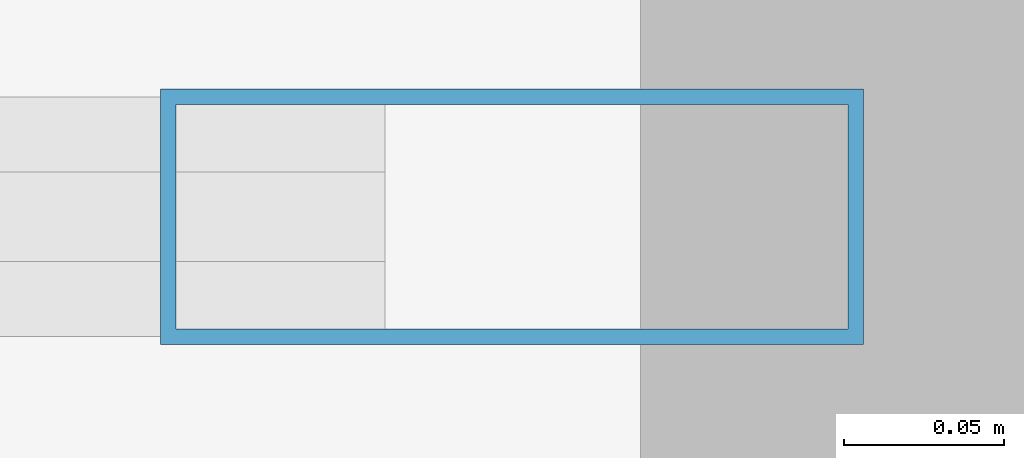
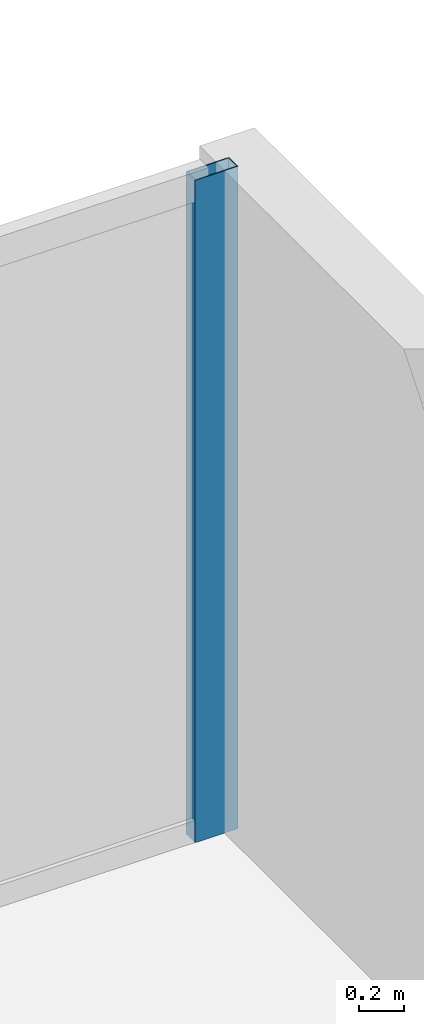
# One storey, part 14 of 24: 1 member, 1 element without a shape of its own.
"""IFC4 building model written with IfcOpenShell, lengths in metres."""

import ifcopenshell
import ifcopenshell.guid

model = None  # the IFC model being written
_history = None  # IfcOwnerHistory: only IFC2X3 demands one
_inside = {}  # id of a spatial element -> (the spatial element, [elements in it])
_under = {}  # id of a project, library or spatial element -> (it, [spatial elements below it])
_declared = {}  # id of a project -> (the project, [libraries it declares])
_typed = {}  # id of a type object -> (the type object, [elements of that type])
_made_of = {}  # id of a material, layer set ... -> (it, [elements and type objects made of it])


def new_model(schema):
    """Start an empty IFC model of exactly this schema.

    Asked for "IFC4X3", IfcOpenShell would pick the latest addendum, in which some entities
    have other attributes; the version numbers below select the first issue.
    IFC2X3 requires an IfcOwnerHistory on every rooted entity: one is made here for all.
    """
    global model, _history
    if schema == "IFC4X3":
        model = ifcopenshell.file(schema_version=(4, 3, 0, 0))
    else:
        model = ifcopenshell.file(schema=schema)
    _inside.clear()
    _under.clear()
    _declared.clear()
    _typed.clear()
    _made_of.clear()
    _history = None
    if model.schema == "IFC2X3":
        org = make("IfcOrganization", Name="unknown")
        user = make(
            "IfcPersonAndOrganization",
            ThePerson=make("IfcPerson", FamilyName="unknown"),
            TheOrganization=org,
        )
        app = make(
            "IfcApplication",
            ApplicationDeveloper=org,
            Version="unknown",
            ApplicationFullName="unknown",
            ApplicationIdentifier="unknown",
        )
        _history = make(
            "IfcOwnerHistory",
            OwningUser=user,
            OwningApplication=app,
            ChangeAction="ADDED",
            CreationDate=0,
        )
    return model


def make(cls, **values):
    """One entity of the class cls with the attributes given. An attribute that is None is left unset."""
    return model.create_entity(
        cls, **{name: value for name, value in values.items() if value is not None}
    )


def rooted(cls, **values):
    """An entity with a GlobalId (a new one), such as an element, a storey or a relation."""
    return make(cls, GlobalId=ifcopenshell.guid.new(), OwnerHistory=_history, **values)


def si_unit(unit_type, name, prefix=None):
    """IfcSIUnit, for example si_unit("LENGTHUNIT", "METRE", prefix="MILLI")."""
    return make("IfcSIUnit", UnitType=unit_type, Prefix=prefix, Name=name)


def assignment(units):
    """IfcUnitAssignment: the units of a project."""
    return None if units is None else make("IfcUnitAssignment", Units=units)


def point(xyz):
    """IfcCartesianPoint."""
    return None if xyz is None else make("IfcCartesianPoint", Coordinates=xyz)


def direction(xyz):
    """IfcDirection."""
    return None if xyz is None else make("IfcDirection", DirectionRatios=xyz)


def frame(location, z_axis=None, x_axis=None):
    """IfcAxis2Placement3D, a coordinate frame: its origin and axes. An axis left out is left unset."""
    return make(
        "IfcAxis2Placement3D",
        Location=point(location),
        Axis=direction(z_axis),
        RefDirection=direction(x_axis),
    )


def frame_2d(location, x_axis=None):
    """IfcAxis2Placement2D, a coordinate frame in the plane: its origin and x axis."""
    return make(
        "IfcAxis2Placement2D", Location=point(location), RefDirection=direction(x_axis)
    )


def origin():
    """The frame at (0, 0, 0) with its axes left unset."""
    return frame((0.0, 0.0, 0.0))


def origin_with_axes():
    """The frame at (0, 0, 0) with the z axis (0, 0, 1) and the x axis (1, 0, 0) written out."""
    return frame((0.0, 0.0, 0.0), z_axis=(0.0, 0.0, 1.0), x_axis=(1.0, 0.0, 0.0))


def origin_2d():
    """The frame at (0, 0) in the plane with its x axis left unset."""
    return frame_2d((0.0, 0.0))


def place(relative_to, where):
    """IfcLocalPlacement: puts the frame where relative to a parent placement (None: the world)."""
    return make(
        "IfcLocalPlacement", PlacementRelTo=relative_to, RelativePlacement=where
    )


def context(
    kind, dimensions, precision=None, world=None, true_north=None, identifier=None
):
    """IfcGeometricRepresentationContext, for example the 3D "Model" context."""
    return make(
        "IfcGeometricRepresentationContext",
        ContextIdentifier=identifier,
        ContextType=kind,
        CoordinateSpaceDimension=dimensions,
        Precision=precision,
        WorldCoordinateSystem=world,
        TrueNorth=true_north,
    )


def subcontext(parent, identifier, kind, view, scale=None):
    """IfcGeometricRepresentationSubContext, for example "Body" below "Model"."""
    return make(
        "IfcGeometricRepresentationSubContext",
        ContextIdentifier=identifier,
        ContextType=kind,
        ParentContext=parent,
        TargetScale=scale,
        TargetView=view,
    )


def project(units=None, contexts=None):
    """IfcProject with its units and contexts."""
    return rooted(
        "IfcProject",
        Name="project",
        RepresentationContexts=contexts,
        UnitsInContext=assignment(units),
    )


def spatial(cls, under=None, at=None, **own):
    """A site, building, storey or space (cls), placed at a placement, below another one or the project."""
    s = rooted(cls, ObjectPlacement=at, **own)
    if under is not None:
        _under.setdefault(under.id(), (under, []))[1].append(s)
    return s


def profile(cls, at=None, kind="AREA", **sizes):
    """A parametric profile (cls). Its sizes go by their IFC names, for example OverallWidth=200.0."""
    return make(cls, ProfileType=kind, Position=at, **sizes)


def hollow_rectangle(**sizes):
    """IfcRectangleHollowProfileDef."""
    return profile("IfcRectangleHollowProfileDef", **sizes)


def extrude(swept, where, along, depth):
    """IfcExtrudedAreaSolid: the profile swept, set in the frame where, extruded along a direction by depth."""
    return make(
        "IfcExtrudedAreaSolid",
        SweptArea=swept,
        Position=where,
        ExtrudedDirection=direction(along),
        Depth=depth,
    )


def shape(context_of_items, identifier, shape_type, items):
    """IfcShapeRepresentation: the items that make up one representation, for example the "Body"."""
    return make(
        "IfcShapeRepresentation",
        ContextOfItems=context_of_items,
        RepresentationIdentifier=identifier,
        RepresentationType=shape_type,
        Items=items,
    )


def source(mapping_origin, context_of_items, identifier, shape_type, items):
    """IfcRepresentationMap: a shape defined once, which mapped items show again and again."""
    return make(
        "IfcRepresentationMap",
        MappingOrigin=mapping_origin,
        MappedRepresentation=shape(context_of_items, identifier, shape_type, items),
    )


def transform(
    local_origin,
    x_axis=None,
    y_axis=None,
    z_axis=None,
    scale=None,
    scale2=None,
    scale3=None,
    uniform=True,
):
    """IfcCartesianTransformationOperator3D, or its non-uniform kind. x_axis, y_axis, z_axis: its Axis1, 2, 3."""
    if uniform:
        return make(
            "IfcCartesianTransformationOperator3D",
            Axis1=direction(x_axis),
            Axis2=direction(y_axis),
            LocalOrigin=point(local_origin),
            Scale=scale,
            Axis3=direction(z_axis),
        )
    return make(
        "IfcCartesianTransformationOperator3DnonUniform",
        Axis1=direction(x_axis),
        Axis2=direction(y_axis),
        LocalOrigin=point(local_origin),
        Scale=scale,
        Axis3=direction(z_axis),
        Scale2=scale2,
        Scale3=scale3,
    )


def mapped(mapping_source, mapping_target):
    """IfcMappedItem: shows the shape of a source again, moved by a transform."""
    return make(
        "IfcMappedItem", MappingSource=mapping_source, MappingTarget=mapping_target
    )


def material(Name=None, Category=None):
    """IfcMaterial."""
    return make("IfcMaterial", Name=Name, Category=Category)


def layer(
    of_material, thickness, ventilated=None, Name=None, Category=None, Priority=None
):
    """IfcMaterialLayer: one layer of a wall or slab, of a material (None: an air gap)."""
    return make(
        "IfcMaterialLayer",
        Material=of_material,
        LayerThickness=thickness,
        IsVentilated=ventilated,
        Name=Name,
        Category=Category,
        Priority=Priority,
    )


def layer_set(layers, Name=None):
    """IfcMaterialLayerSet."""
    return make("IfcMaterialLayerSet", MaterialLayers=layers, LayerSetName=Name)


def material_profile(
    of_material, cross_section, Name=None, Category=None, Priority=None
):
    """IfcMaterialProfile: a cross section and its material."""
    return make(
        "IfcMaterialProfile",
        Name=Name,
        Material=of_material,
        Profile=cross_section,
        Priority=Priority,
        Category=Category,
    )


def profile_set(profiles, Name=None, composite=None):
    """IfcMaterialProfileSet."""
    return make(
        "IfcMaterialProfileSet",
        Name=Name,
        MaterialProfiles=profiles,
        CompositeProfile=composite,
    )


def made_of(thing, what):
    """Note that an element or type object is made of a material, layer set ...; save() writes the relation."""
    if what is not None:
        _made_of.setdefault(what.id(), (what, []))[1].append(thing)
    return thing


def type_object(cls, material=None, **own):
    """A type object (cls), such as IfcWallType, which elements share."""
    return made_of(rooted(cls, **own), material)


def element(
    cls,
    number,
    at=None,
    inside=None,
    cuts=None,
    type_object=None,
    material=None,
    context=None,
    identifier="Body",
    shape_type=None,
    held_by="IfcProductDefinitionShape",
    body=None,
    shapes=None,
    **own,
):
    """One element of the class cls, such as IfcWall. Its Tag is "e" and its number.

    at: its placement. inside: the storey or other place that contains it. cuts: it is an
    opening in that element (IfcRelVoidsElement). A single representation is given by context,
    identifier, shape_type and body (its items); several are given by shapes. held_by: the class
    of the entity that holds the representations. save() writes the other relations.
    """
    e = rooted(cls, Tag="e%d" % number, ObjectPlacement=at, **own)
    if body is not None:
        shapes = [shape(context, identifier, shape_type, body)]
    if shapes is not None:
        e.Representation = make(held_by, Representations=shapes)
    if inside is not None:
        _inside.setdefault(inside.id(), (inside, []))[1].append(e)
    if cuts is not None:
        rooted(
            "IfcRelVoidsElement", RelatingBuildingElement=cuts, RelatedOpeningElement=e
        )
    if type_object is not None:
        _typed.setdefault(type_object.id(), (type_object, []))[1].append(e)
    return made_of(e, material)


def aggregate(whole, parts):
    """IfcRelAggregates: a whole, such as a stair, and the parts it consists of."""
    return rooted("IfcRelAggregates", RelatingObject=whole, RelatedObjects=parts)


def save(model, path):
    """Write the relations noted so far, then the file.

    IfcRelAggregates (storeys below a building ...), IfcRelContainedInSpatialStructure (elements
    in a storey), IfcRelDefinesByType, IfcRelAssociatesMaterial and IfcRelDeclares: one each for
    every whole, place, type object, material and project.
    """
    for whole, parts in _under.values():
        aggregate(whole, parts)
    for where, things in _inside.values():
        rooted(
            "IfcRelContainedInSpatialStructure",
            RelatedElements=things,
            RelatingStructure=where,
        )
    for kind, things in _typed.values():
        rooted("IfcRelDefinesByType", RelatedObjects=things, RelatingType=kind)
    for what, things in _made_of.values():
        rooted("IfcRelAssociatesMaterial", RelatedObjects=things, RelatingMaterial=what)
    for by, libraries in _declared.values():
        rooted("IfcRelDeclares", RelatingContext=by, RelatedDefinitions=libraries)
    model.write(path)


model = new_model("IFC4")

# Units and contexts
model_context = context("Model", 3, precision=1e-05, world=origin(), true_north=direction((0.0, 1.0)))
body_context = subcontext(model_context, "Body", "Model", "MODEL_VIEW")
ifc_project = project(units=[si_unit("LENGTHUNIT", "METRE"), si_unit("AREAUNIT", "SQUARE_METRE"), si_unit("VOLUMEUNIT", "CUBIC_METRE"), si_unit("PLANEANGLEUNIT", "RADIAN"), si_unit("MASSUNIT", "GRAM", prefix="KILO")], contexts=[model_context])

# Site, building, storey
site_placement = place(None, origin())
site = spatial("IfcSite", under=ifc_project, at=site_placement, CompositionType="ELEMENT")
building_placement = place(site_placement, origin())
building = spatial("IfcBuilding", under=site, at=building_placement, Name="Kolvaren Waterfront Exchange", CompositionType="ELEMENT")
storey_placement = place(building_placement, frame((0.0, 0.0, 184.199951171875)))
storey = spatial("IfcBuildingStorey", under=building, at=storey_placement, Name="L47", CompositionType="ELEMENT", Elevation=184.199951171875)

# Curtain wall, member
ifc_material_1 = material(Name="Anodised bronze aluminium 6063-T6", Category="aluminium")
ifc_layer = layer(ifc_material_1, 0.219970703125, Name="Anodised bronze aluminium 6063-T6")
ifc_layer_set = layer_set([ifc_layer], Name="Anodised bronze aluminium 6063-T6")
curtain_wall_type = type_object("IfcCurtainWallType", Name="ARC-CW-SYS1", PredefinedType="USERDEFINED", material=ifc_layer_set)
curtain_wall_placement = place(storey_placement, origin())
curtain_wall = element("IfcCurtainWall", 1, at=curtain_wall_placement, inside=storey, type_object=curtain_wall_type, Name="L47 stick curtain wall CW1 (CW-L47-EN)", ObjectType="STICK CURTAIN WALL", PredefinedType="USERDEFINED")
ifc_material_2 = material(Name="Anodised aluminium 6063-T6", Category="aluminium")
ifc_material_profile = material_profile(ifc_material_2, hollow_rectangle(XDim=0.080078125, YDim=0.219970703125, WallThickness=0.0048828125, at=origin_2d()), Name="ALU-MUL-220x80x5")
ifc_profile_set = profile_set([ifc_material_profile], Name="Anodised aluminium 6063-T6")
member_type = type_object("IfcMemberType", Name="ARC-CWM-220", PredefinedType="MULLION", material=ifc_profile_set)
shared_shape = source(origin_with_axes(), body_context, "Body", "SweptSolid", [
    extrude(hollow_rectangle(XDim=0.080078125, YDim=0.219970703125, WallThickness=0.0048828125, at=origin_2d()), origin(), (0.0, 0.0, 1.0), 3.56005859375),
])
member_placement = place(storey_placement, frame((54.659912109375, 20.9599609375, 0.0), z_axis=(0.0, 0.0, 1.0), x_axis=(0.0, 1.0, 0.0)))
member = element("IfcMember", 2, at=member_placement, type_object=member_type, Name="CW1 mullion 5", PredefinedType="MULLION", context=body_context, shape_type="MappedRepresentation", body=[
    mapped(shared_shape, transform((0.0, 0.0, 0.0), x_axis=(1.0, 0.0, 0.0), y_axis=(0.0, 1.0, 0.0), z_axis=(0.0, 0.0, 1.0), scale=1.0)),
])
aggregate(curtain_wall, [member])

save(model, "model.ifc")
